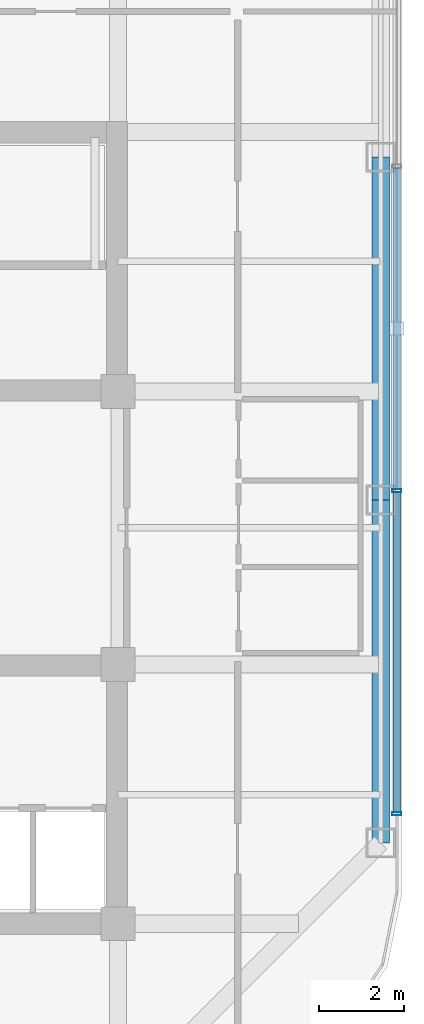
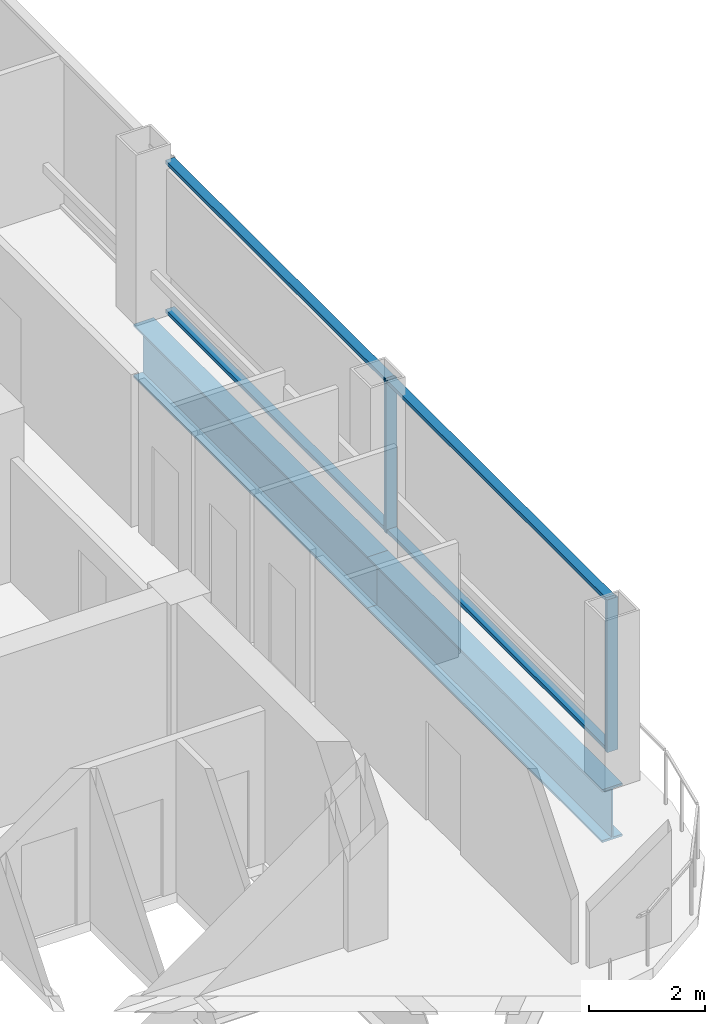
# One storey, part 8 of 19: 6 members, 2 beams, 1 element without a shape of its own.
"""IFC4 building model written with IfcOpenShell, lengths in metres."""

from ifc_helpers import new_model, si_unit, direction, frame, origin, origin_2d, place, context, subcontext, project, spatial, hollow_rectangle, i_section, extrude, material, layer, layer_set, material_profile, profile_set, type_object, element, aggregate, save


model = new_model("IFC4")

# Units and contexts
model_context = context("Model", 3, precision=1e-05, world=origin(), true_north=direction((0.0, 1.0)))
body_context = subcontext(model_context, "Body", "Model", "MODEL_VIEW")
ifc_project = project(units=[si_unit("LENGTHUNIT", "METRE"), si_unit("AREAUNIT", "SQUARE_METRE"), si_unit("VOLUMEUNIT", "CUBIC_METRE"), si_unit("PLANEANGLEUNIT", "RADIAN"), si_unit("MASSUNIT", "GRAM", prefix="KILO")], contexts=[model_context])

# Site, building, storey
site_placement = place(None, origin())
site = spatial("IfcSite", under=ifc_project, at=site_placement, CompositionType="ELEMENT")
building_placement = place(site_placement, origin())
building = spatial("IfcBuilding", under=site, at=building_placement, Name="Qhalaya Broadcast Tower", CompositionType="ELEMENT")
storey_placement = place(building_placement, frame((0.0, 0.0, 148.199951171875)))
storey = spatial("IfcBuildingStorey", under=building, at=storey_placement, Name="L43", CompositionType="ELEMENT", Elevation=148.199951171875)

# Beams
ifc_material_1 = material(Name="Structural Steel ASTM A992 Grade 50", Category="steel")
ifc_material_profile_1 = material_profile(ifc_material_1, i_section(OverallWidth=0.404052734375, OverallDepth=1.117919921875, WebThickness=0.026123046875, FlangeThickness=0.044921875, at=origin_2d()), Name="W44X335")
ifc_profile_set_1 = profile_set([ifc_material_profile_1], Name="Structural Steel ASTM A992 Grade 50")
beam_type = type_object("IfcBeamType", Name="Podium Long-Span Primary Girder PG1", PredefinedType="USERDEFINED", material=ifc_profile_set_1)
for number, where, z_axis, x_axis, name in (
    (1, (15.580078125, -6.840087890625, -0.779052734375), (0.0, 1.0, 0.0), (-1.0, 0.0, 0.0), "L43 PG1 L43-SPR-05"),
    (2, (15.580078125, 1.260009765625, -0.779052734375), (0.0, 1.0, 0.0), (-1.0, 0.0, 0.0), "L43 PG1 L43-SPR-06"),
):
    element("IfcBeam", number, at=place(storey_placement, frame(where, z_axis=z_axis, x_axis=x_axis)), inside=storey, type_object=beam_type, Name=name, ObjectType="GIRDER", PredefinedType="USERDEFINED", context=body_context, shape_type="SweptSolid", body=[
        extrude(i_section(OverallWidth=0.404052734375, OverallDepth=1.117919921875, WebThickness=0.026123046875, FlangeThickness=0.044921875, at=origin_2d()), origin(), (0.0, 0.0, 1.0), 8.10009765625),
    ])

# Curtain wall, members
ifc_material_2 = material(Name="Solar-Control Low-E Triple Glazing", Category="glass")
ifc_layer = layer(ifc_material_2, 0.219970703125, Name="Solar-Control Low-E Triple Glazing")
ifc_layer_set = layer_set([ifc_layer], Name="Solar-Control Low-E Triple Glazing")
curtain_wall_type = type_object("IfcCurtainWallType", Name="Recessed Sky-Garden Neck Ribbon Curtain Wall CW-05", PredefinedType="NOTDEFINED", material=ifc_layer_set)
curtain_wall_placement = place(storey_placement, origin())
curtain_wall = element("IfcCurtainWall", 3, at=curtain_wall_placement, inside=storey, type_object=curtain_wall_type, Name="L43 Unitised Curtain Wall L43-CW-E", PredefinedType="NOTDEFINED")
ifc_material_3 = material(Name="Anodised Aluminium 6063-T6", Category="aluminium")
ifc_material_profile_2 = material_profile(ifc_material_3, hollow_rectangle(XDim=0.074951171875, YDim=0.219970703125, WallThickness=0.00390625, at=origin_2d()), Name="ALU-MUL 75x220x4")
ifc_profile_set_2 = profile_set([ifc_material_profile_2], Name="Anodised Aluminium 6063-T6")
member_type_1 = type_object("IfcMemberType", Name="Unitised Curtain-Wall Mullion M01", PredefinedType="MULLION", material=ifc_profile_set_2)
member_1_placement = place(storey_placement, frame((15.9599609375, -6.152587890625, 0.0), z_axis=(0.0, 0.0, 1.0), x_axis=(0.0, 1.0, 0.0)))
member_1 = element("IfcMember", 4, at=member_1_placement, type_object=member_type_1, Name="CW-05 mullion 1", PredefinedType="MULLION", context=body_context, shape_type="SweptSolid", body=[
    extrude(hollow_rectangle(XDim=0.074951171875, YDim=0.219970703125, WallThickness=0.00390625, at=origin_2d()), origin(), (0.0, 0.0, 1.0), 3.219970703125),
])
member_2_placement = place(storey_placement, frame((15.9599609375, 1.4765625, 0.0), z_axis=(0.0, 0.0, 1.0), x_axis=(0.0, 1.0, 0.0)))
member_2 = element("IfcMember", 5, at=member_2_placement, type_object=member_type_1, Name="CW-05 mullion 2", PredefinedType="MULLION", context=body_context, shape_type="SweptSolid", body=[
    extrude(hollow_rectangle(XDim=0.074951171875, YDim=0.219970703125, WallThickness=0.00390625, at=origin_2d()), origin(), (0.0, 0.0, 1.0), 3.219970703125),
])
ifc_material_profile_3 = material_profile(ifc_material_3, hollow_rectangle(XDim=0.074951171875, YDim=0.179931640625, WallThickness=0.00390625, at=origin_2d()), Name="ALU-TRN 75x180x4")
ifc_profile_set_3 = profile_set([ifc_material_profile_3], Name="Anodised Aluminium 6063-T6")
member_type_2 = type_object("IfcMemberType", Name="Unitised Curtain-Wall Transom T01", PredefinedType="USERDEFINED", material=ifc_profile_set_3)
member_3_placement = place(storey_placement, frame((15.9599609375, -6.114990234375, 0.03759765625), z_axis=(0.0, 1.0, 0.0), x_axis=(0.0, 0.0, 1.0)))
member_3 = element("IfcMember", 6, at=member_3_placement, type_object=member_type_2, Name="CW-05 transom 1.1", ObjectType="TRANSOM", PredefinedType="USERDEFINED", context=body_context, shape_type="SweptSolid", body=[
    extrude(hollow_rectangle(XDim=0.074951171875, YDim=0.179931640625, WallThickness=0.00390625, at=origin_2d()), origin(), (0.0, 0.0, 1.0), 7.55419921875),
])
member_4_placement = place(storey_placement, frame((15.9599609375, -6.114990234375, 3.1826171875), z_axis=(0.0, 1.0, 0.0), x_axis=(0.0, 0.0, 1.0)))
member_4 = element("IfcMember", 7, at=member_4_placement, type_object=member_type_2, Name="CW-05 transom 1.2", ObjectType="TRANSOM", PredefinedType="USERDEFINED", context=body_context, shape_type="SweptSolid", body=[
    extrude(hollow_rectangle(XDim=0.074951171875, YDim=0.179931640625, WallThickness=0.00390625, at=origin_2d()), origin(), (0.0, 0.0, 1.0), 7.55419921875),
])
member_5_placement = place(storey_placement, frame((15.9599609375, 1.51416015625, 0.03759765625), z_axis=(0.0, 1.0, 0.0), x_axis=(0.0, 0.0, 1.0)))
member_5 = element("IfcMember", 8, at=member_5_placement, type_object=member_type_2, Name="CW-05 transom 2.1", ObjectType="TRANSOM", PredefinedType="USERDEFINED", context=body_context, shape_type="SweptSolid", body=[
    extrude(hollow_rectangle(XDim=0.074951171875, YDim=0.179931640625, WallThickness=0.00390625, at=origin_2d()), origin(), (0.0, 0.0, 1.0), 7.591552734375),
])
member_6_placement = place(storey_placement, frame((15.9599609375, 1.51416015625, 3.1826171875), z_axis=(0.0, 1.0, 0.0), x_axis=(0.0, 0.0, 1.0)))
member_6 = element("IfcMember", 9, at=member_6_placement, type_object=member_type_2, Name="CW-05 transom 2.2", ObjectType="TRANSOM", PredefinedType="USERDEFINED", context=body_context, shape_type="SweptSolid", body=[
    extrude(hollow_rectangle(XDim=0.074951171875, YDim=0.179931640625, WallThickness=0.00390625, at=origin_2d()), origin(), (0.0, 0.0, 1.0), 7.591552734375),
])
aggregate(curtain_wall, [member_1, member_2, member_3, member_4, member_5, member_6])

save(model, "model.ifc")
